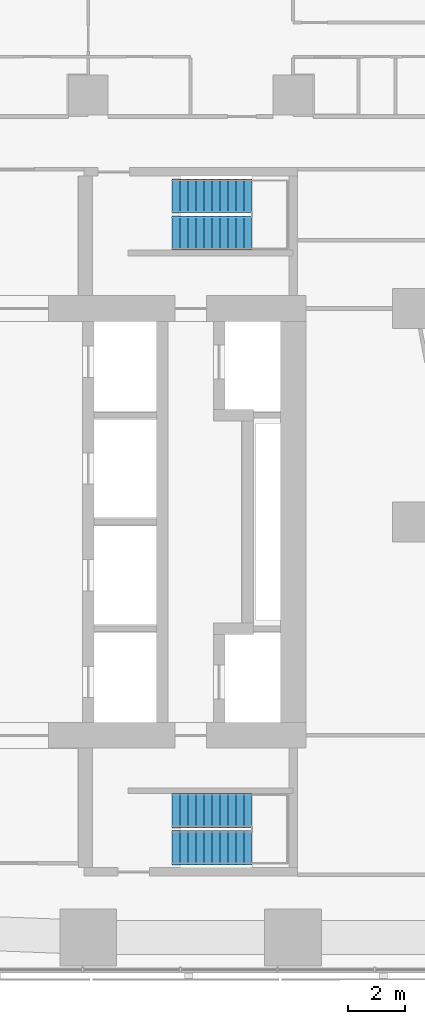
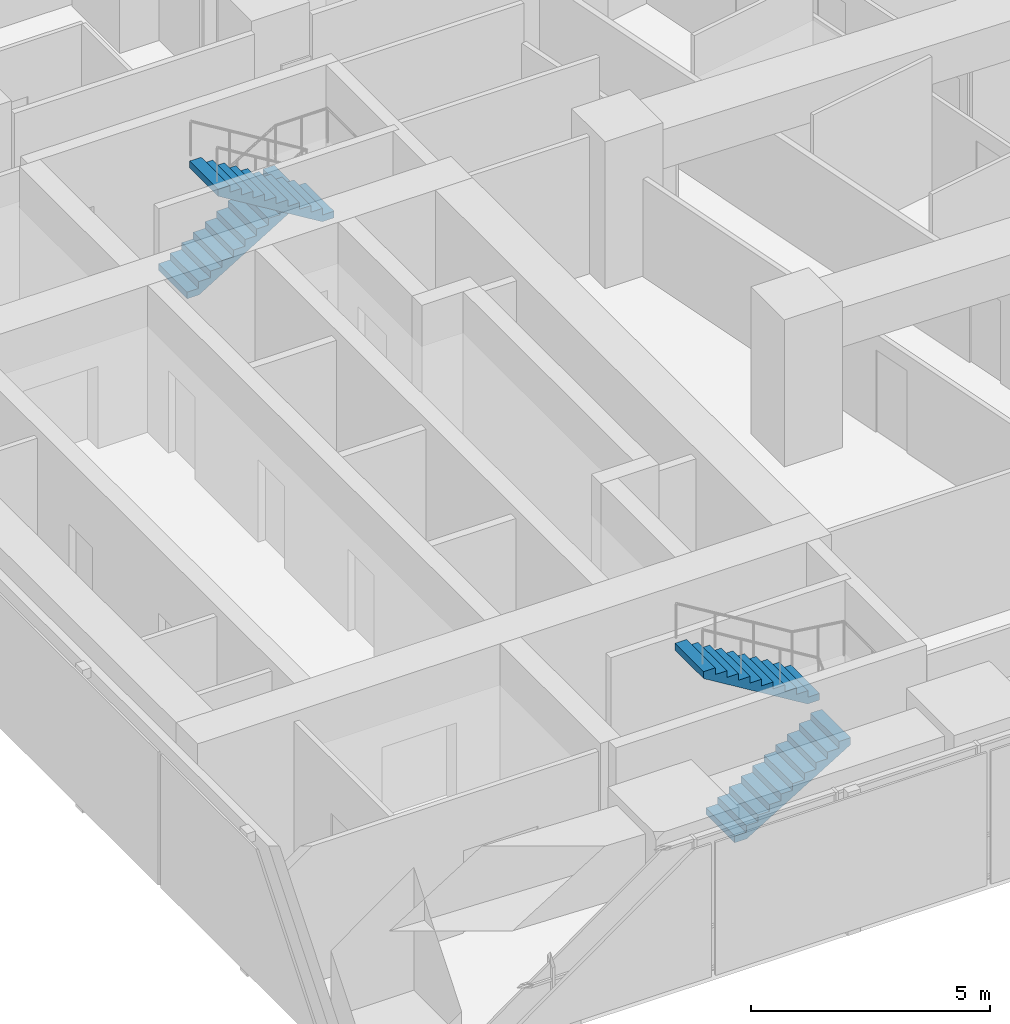
# One storey, part 9 of 10: 4 stair flights, 2 elements without a shape of their own.
"""IFC4 building model written with IfcOpenShell, lengths in metres."""

from ifc_helpers import new_model, si_unit, direction, frame, origin, place, context, subcontext, project, spatial, triangles, material, type_object, element, aggregate, save


model = new_model("IFC4")

# Units and contexts
model_context = context("Model", 3, precision=1e-05, world=origin(), true_north=direction((0.0, 1.0)))
body_context = subcontext(model_context, "Body", "Model", "MODEL_VIEW")
ifc_project = project(units=[si_unit("LENGTHUNIT", "METRE"), si_unit("AREAUNIT", "SQUARE_METRE"), si_unit("VOLUMEUNIT", "CUBIC_METRE"), si_unit("PLANEANGLEUNIT", "RADIAN"), si_unit("MASSUNIT", "GRAM", prefix="KILO")], contexts=[model_context])

# Site, building, storey
site_placement = place(None, origin())
site = spatial("IfcSite", under=ifc_project, at=site_placement, CompositionType="ELEMENT")
building_placement = place(site_placement, origin())
building = spatial("IfcBuilding", under=site, at=building_placement, Name="Sheger Commons Tower", CompositionType="ELEMENT")
storey_placement = place(building_placement, frame((0.0, 0.0, 289.10009765625)))
storey = spatial("IfcBuildingStorey", under=building, at=storey_placement, Name="L74", CompositionType="ELEMENT", Elevation=289.10009765625)

# Stair, stair flights
ifc_material_1 = material(Name="Concrete C35/45", Category="concrete")
stair_type = type_object("IfcStairType", Name="HALF-TURN STAIR 1200 RISE 3750", PredefinedType="HALF_TURN_STAIR", material=ifc_material_1)
stair_1_placement = place(storey_placement, origin())
stair_1 = element("IfcStair", 1, at=stair_1_placement, inside=storey, type_object=stair_type, Name="Stair S1 L74", PredefinedType="HALF_TURN_STAIR")
ifc_material_2 = material(Name="Concrete C35/45", Category="concrete")
stair_flight_type = type_object("IfcStairFlightType", Name="STAIR FLIGHT 1200 11 RISERS OF 170", PredefinedType="STRAIGHT", material=ifc_material_2)
stair_flight_1_placement = place(storey_placement, frame((24.550048828125, 11.050048828125, 0.0), z_axis=(0.0, 0.0, 1.0), x_axis=(1.0, 0.0, 0.0)))
stair_flight_1 = element("IfcStairFlight", 2, at=stair_flight_1_placement, type_object=stair_flight_type, Name="S1 flight 1", NumberOfRisers=11, NumberOfTreads=10, PredefinedType="STRAIGHT", RiserHeight=0.170454545, TreadLength=0.28, context=body_context, shape_type="Tessellation", body=[
    triangles([(0.0, 0.5999755859375, 0.0), (0.0, 0.5999755859375, 0.17041015625), (0.280029296875, 0.5999755859375, 0.17041015625), (0.280029296875, 0.5999755859375, 0.3408203125), (0.56005859375, 0.5999755859375, 0.3408203125), (0.56005859375, 0.5999755859375, 0.511474609375), (0.840087890625, 0.5999755859375, 0.511474609375), (0.840087890625, 0.5999755859375, 0.681884765625), (1.1201171875, 0.5999755859375, 0.681884765625), (1.1201171875, 0.5999755859375, 0.852294921875), (1.39990234375, 0.5999755859375, 0.852294921875), (1.39990234375, 0.5999755859375, 1.022705078125), (1.679931640625, 0.5999755859375, 1.022705078125), (1.679931640625, 0.5999755859375, 1.193115234375), (1.9599609375, 0.5999755859375, 1.193115234375), (1.9599609375, 0.5999755859375, 1.363525390625), (2.239990234375, 0.5999755859375, 1.363525390625), (2.239990234375, 0.5999755859375, 1.5341796875), (2.52001953125, 0.5999755859375, 1.5341796875), (2.52001953125, 0.5999755859375, 1.70458984375), (2.800048828125, 0.5999755859375, 1.70458984375), (2.800048828125, 0.5999755859375, 1.529052734375), (0.288330078125, 0.5999755859375, 0.0), (0.0, -0.5999755859375, 0.0), (0.0, -0.5999755859375, 0.17041015625), (0.280029296875, -0.5999755859375, 0.17041015625), (0.280029296875, -0.5999755859375, 0.3408203125), (0.56005859375, -0.5999755859375, 0.3408203125), (0.56005859375, -0.5999755859375, 0.511474609375), (0.840087890625, -0.5999755859375, 0.511474609375), (0.840087890625, -0.5999755859375, 0.681884765625), (1.1201171875, -0.5999755859375, 0.681884765625), (1.1201171875, -0.5999755859375, 0.852294921875), (1.39990234375, -0.5999755859375, 0.852294921875), (1.39990234375, -0.5999755859375, 1.022705078125), (1.679931640625, -0.5999755859375, 1.022705078125), (1.679931640625, -0.5999755859375, 1.193115234375), (1.9599609375, -0.5999755859375, 1.193115234375), (1.9599609375, -0.5999755859375, 1.363525390625), (2.239990234375, -0.5999755859375, 1.363525390625), (2.239990234375, -0.5999755859375, 1.5341796875), (2.52001953125, -0.5999755859375, 1.5341796875), (2.52001953125, -0.5999755859375, 1.70458984375), (2.800048828125, -0.5999755859375, 1.70458984375), (2.800048828125, -0.5999755859375, 1.529052734375), (0.288330078125, -0.5999755859375, 0.0), (0.0, 0.0, 0.085205078125), (0.1400146484375, 0.0, 0.17041015625), (0.280029296875, 0.0, 0.255615234375), (0.4200439453125, 0.0, 0.3408203125), (0.56005859375, 0.0, 0.4261474609375), (0.7000732421875, 0.0, 0.511474609375), (0.840087890625, 0.0, 0.5966796875), (0.9801025390625, 0.0, 0.681884765625), (1.1201171875, 0.0, 0.76708984375), (1.260009765625, 0.0, 0.852294921875), (1.39990234375, 0.0, 0.9375), (1.5399169921875, 0.0, 1.022705078125), (1.679931640625, 0.0, 1.10791015625), (1.8199462890625, 0.0, 1.193115234375), (1.9599609375, 0.0, 1.2783203125), (2.0999755859375, 0.0, 1.363525390625), (2.239990234375, 0.0, 1.4488525390625), (2.3800048828125, 0.0, 1.5341796875), (2.52001953125, 0.0, 1.619384765625), (2.6600341796875, 0.0, 1.70458984375), (2.800048828125, 0.0, 1.6168212890625), (1.544189453125, 0.0, 0.7645263671875), (0.1441650390625, 0.0, 0.0)], [[1, 22, 23], [24, 46, 45], [22, 20, 21], [45, 44, 43], [22, 19, 20], [45, 43, 42], [22, 18, 19], [45, 42, 41], [22, 17, 18], [45, 41, 40], [17, 15, 16], [40, 39, 38], [22, 15, 17], [45, 40, 38], [15, 13, 14], [38, 37, 36], [22, 13, 15], [45, 38, 36], [13, 11, 12], [36, 35, 34], [22, 11, 13], [45, 36, 34], [11, 9, 10], [34, 33, 32], [22, 9, 11], [45, 34, 32], [9, 7, 8], [32, 31, 30], [22, 7, 9], [45, 32, 30], [7, 5, 6], [30, 29, 28], [22, 5, 7], [45, 30, 28], [5, 3, 4], [28, 27, 26], [22, 3, 5], [45, 28, 26], [1, 3, 22], [24, 45, 26], [3, 1, 2], [26, 25, 24], [1, 47, 2], [2, 47, 25], [25, 47, 24], [24, 47, 1], [2, 48, 3], [3, 48, 26], [26, 48, 25], [25, 48, 2], [3, 49, 4], [4, 49, 27], [27, 49, 26], [26, 49, 3], [4, 50, 5], [5, 50, 28], [28, 50, 27], [27, 50, 4], [5, 51, 6], [6, 51, 29], [29, 51, 28], [28, 51, 5], [6, 52, 7], [7, 52, 30], [30, 52, 29], [29, 52, 6], [7, 53, 8], [8, 53, 31], [31, 53, 30], [30, 53, 7], [8, 54, 9], [9, 54, 32], [32, 54, 31], [31, 54, 8], [9, 55, 10], [10, 55, 33], [33, 55, 32], [32, 55, 9], [10, 56, 11], [11, 56, 34], [34, 56, 33], [33, 56, 10], [11, 57, 12], [12, 57, 35], [35, 57, 34], [34, 57, 11], [12, 58, 13], [13, 58, 36], [36, 58, 35], [35, 58, 12], [13, 59, 14], [14, 59, 37], [37, 59, 36], [36, 59, 13], [14, 60, 15], [15, 60, 38], [38, 60, 37], [37, 60, 14], [15, 61, 16], [16, 61, 39], [39, 61, 38], [38, 61, 15], [16, 62, 17], [17, 62, 40], [40, 62, 39], [39, 62, 16], [17, 63, 18], [18, 63, 41], [41, 63, 40], [40, 63, 17], [18, 64, 19], [19, 64, 42], [42, 64, 41], [41, 64, 18], [19, 65, 20], [20, 65, 43], [43, 65, 42], [42, 65, 19], [20, 66, 21], [21, 66, 44], [44, 66, 43], [43, 66, 20], [21, 67, 22], [22, 67, 45], [45, 67, 44], [44, 67, 21], [22, 68, 23], [23, 68, 46], [46, 68, 45], [45, 68, 22], [23, 69, 1], [1, 69, 24], [24, 69, 46], [46, 69, 23]], closed=True),
])
stair_flight_2_placement = place(storey_placement, frame((27.35009765625, 12.35009765625, 1.875), z_axis=(0.0, 0.0, 1.0), x_axis=(-1.0, 0.0, 0.0)))
stair_flight_2 = element("IfcStairFlight", 3, at=stair_flight_2_placement, type_object=stair_flight_type, Name="S1 flight 2", NumberOfRisers=11, NumberOfTreads=10, PredefinedType="STRAIGHT", RiserHeight=0.170454545, TreadLength=0.28, context=body_context, shape_type="Tessellation", body=[
    triangles([(0.0, 0.5999755859375, 0.0), (0.0, 0.5999755859375, 0.17041015625), (0.280029296875, 0.5999755859375, 0.17041015625), (0.280029296875, 0.5999755859375, 0.3408203125), (0.56005859375, 0.5999755859375, 0.3408203125), (0.56005859375, 0.5999755859375, 0.511474609375), (0.840087890625, 0.5999755859375, 0.511474609375), (0.840087890625, 0.5999755859375, 0.681884765625), (1.1201171875, 0.5999755859375, 0.681884765625), (1.1201171875, 0.5999755859375, 0.852294921875), (1.39990234375, 0.5999755859375, 0.852294921875), (1.39990234375, 0.5999755859375, 1.022705078125), (1.679931640625, 0.5999755859375, 1.022705078125), (1.679931640625, 0.5999755859375, 1.193115234375), (1.9599609375, 0.5999755859375, 1.193115234375), (1.9599609375, 0.5999755859375, 1.363525390625), (2.239990234375, 0.5999755859375, 1.363525390625), (2.239990234375, 0.5999755859375, 1.5341796875), (2.52001953125, 0.5999755859375, 1.5341796875), (2.52001953125, 0.5999755859375, 1.70458984375), (2.800048828125, 0.5999755859375, 1.70458984375), (2.800048828125, 0.5999755859375, 1.529052734375), (0.288330078125, 0.5999755859375, 0.0), (0.0, -0.5999755859375, 0.0), (0.0, -0.5999755859375, 0.17041015625), (0.280029296875, -0.5999755859375, 0.17041015625), (0.280029296875, -0.5999755859375, 0.3408203125), (0.56005859375, -0.5999755859375, 0.3408203125), (0.56005859375, -0.5999755859375, 0.511474609375), (0.840087890625, -0.5999755859375, 0.511474609375), (0.840087890625, -0.5999755859375, 0.681884765625), (1.1201171875, -0.5999755859375, 0.681884765625), (1.1201171875, -0.5999755859375, 0.852294921875), (1.39990234375, -0.5999755859375, 0.852294921875), (1.39990234375, -0.5999755859375, 1.022705078125), (1.679931640625, -0.5999755859375, 1.022705078125), (1.679931640625, -0.5999755859375, 1.193115234375), (1.9599609375, -0.5999755859375, 1.193115234375), (1.9599609375, -0.5999755859375, 1.363525390625), (2.239990234375, -0.5999755859375, 1.363525390625), (2.239990234375, -0.5999755859375, 1.5341796875), (2.52001953125, -0.5999755859375, 1.5341796875), (2.52001953125, -0.5999755859375, 1.70458984375), (2.800048828125, -0.5999755859375, 1.70458984375), (2.800048828125, -0.5999755859375, 1.529052734375), (0.288330078125, -0.5999755859375, 0.0), (0.0, 0.0, 0.085205078125), (0.1400146484375, 0.0, 0.17041015625), (0.280029296875, 0.0, 0.255615234375), (0.4200439453125, 0.0, 0.3408203125), (0.56005859375, 0.0, 0.4261474609375), (0.7000732421875, 0.0, 0.511474609375), (0.840087890625, 0.0, 0.5966796875), (0.9801025390625, 0.0, 0.681884765625), (1.1201171875, 0.0, 0.76708984375), (1.260009765625, 0.0, 0.852294921875), (1.39990234375, 0.0, 0.9375), (1.5399169921875, 0.0, 1.022705078125), (1.679931640625, 0.0, 1.10791015625), (1.8199462890625, 0.0, 1.193115234375), (1.9599609375, 0.0, 1.2783203125), (2.0999755859375, 0.0, 1.363525390625), (2.239990234375, 0.0, 1.4488525390625), (2.3800048828125, 0.0, 1.5341796875), (2.52001953125, 0.0, 1.619384765625), (2.6600341796875, 0.0, 1.70458984375), (2.800048828125, 0.0, 1.6168212890625), (1.544189453125, 0.0, 0.7645263671875), (0.1441650390625, 0.0, 0.0)], [[1, 22, 23], [24, 46, 45], [22, 20, 21], [45, 44, 43], [22, 19, 20], [45, 43, 42], [22, 18, 19], [45, 42, 41], [22, 17, 18], [45, 41, 40], [17, 15, 16], [40, 39, 38], [22, 15, 17], [45, 40, 38], [15, 13, 14], [38, 37, 36], [22, 13, 15], [45, 38, 36], [13, 11, 12], [36, 35, 34], [22, 11, 13], [45, 36, 34], [11, 9, 10], [34, 33, 32], [22, 9, 11], [45, 34, 32], [9, 7, 8], [32, 31, 30], [22, 7, 9], [45, 32, 30], [7, 5, 6], [30, 29, 28], [22, 5, 7], [45, 30, 28], [5, 3, 4], [28, 27, 26], [22, 3, 5], [45, 28, 26], [1, 3, 22], [24, 45, 26], [3, 1, 2], [26, 25, 24], [1, 47, 2], [2, 47, 25], [25, 47, 24], [24, 47, 1], [2, 48, 3], [3, 48, 26], [26, 48, 25], [25, 48, 2], [3, 49, 4], [4, 49, 27], [27, 49, 26], [26, 49, 3], [4, 50, 5], [5, 50, 28], [28, 50, 27], [27, 50, 4], [5, 51, 6], [6, 51, 29], [29, 51, 28], [28, 51, 5], [6, 52, 7], [7, 52, 30], [30, 52, 29], [29, 52, 6], [7, 53, 8], [8, 53, 31], [31, 53, 30], [30, 53, 7], [8, 54, 9], [9, 54, 32], [32, 54, 31], [31, 54, 8], [9, 55, 10], [10, 55, 33], [33, 55, 32], [32, 55, 9], [10, 56, 11], [11, 56, 34], [34, 56, 33], [33, 56, 10], [11, 57, 12], [12, 57, 35], [35, 57, 34], [34, 57, 11], [12, 58, 13], [13, 58, 36], [36, 58, 35], [35, 58, 12], [13, 59, 14], [14, 59, 37], [37, 59, 36], [36, 59, 13], [14, 60, 15], [15, 60, 38], [38, 60, 37], [37, 60, 14], [15, 61, 16], [16, 61, 39], [39, 61, 38], [38, 61, 15], [16, 62, 17], [17, 62, 40], [40, 62, 39], [39, 62, 16], [17, 63, 18], [18, 63, 41], [41, 63, 40], [40, 63, 17], [18, 64, 19], [19, 64, 42], [42, 64, 41], [41, 64, 18], [19, 65, 20], [20, 65, 43], [43, 65, 42], [42, 65, 19], [20, 66, 21], [21, 66, 44], [44, 66, 43], [43, 66, 20], [21, 67, 22], [22, 67, 45], [45, 67, 44], [44, 67, 21], [22, 68, 23], [23, 68, 46], [46, 68, 45], [45, 68, 22], [23, 69, 1], [1, 69, 24], [24, 69, 46], [46, 69, 23]], closed=True),
])
aggregate(stair_1, [stair_flight_1, stair_flight_2])

stair_2_placement = place(storey_placement, origin())
stair_2 = element("IfcStair", 4, at=stair_2_placement, inside=storey, type_object=stair_type, Name="Stair S2 L74", PredefinedType="HALF_TURN_STAIR")
stair_flight_3_placement = place(storey_placement, frame((24.550048828125, 33.949951171875, 0.0), z_axis=(0.0, 0.0, 1.0), x_axis=(1.0, 0.0, 0.0)))
stair_flight_3 = element("IfcStairFlight", 5, at=stair_flight_3_placement, type_object=stair_flight_type, Name="S2 flight 1", NumberOfRisers=11, NumberOfTreads=10, PredefinedType="STRAIGHT", RiserHeight=0.170454545, TreadLength=0.28, context=body_context, shape_type="Tessellation", body=[
    triangles([(0.0, 0.5999755859375, 0.0), (0.0, 0.5999755859375, 0.17041015625), (0.280029296875, 0.5999755859375, 0.17041015625), (0.280029296875, 0.5999755859375, 0.3408203125), (0.56005859375, 0.5999755859375, 0.3408203125), (0.56005859375, 0.5999755859375, 0.511474609375), (0.840087890625, 0.5999755859375, 0.511474609375), (0.840087890625, 0.5999755859375, 0.681884765625), (1.1201171875, 0.5999755859375, 0.681884765625), (1.1201171875, 0.5999755859375, 0.852294921875), (1.39990234375, 0.5999755859375, 0.852294921875), (1.39990234375, 0.5999755859375, 1.022705078125), (1.679931640625, 0.5999755859375, 1.022705078125), (1.679931640625, 0.5999755859375, 1.193115234375), (1.9599609375, 0.5999755859375, 1.193115234375), (1.9599609375, 0.5999755859375, 1.363525390625), (2.239990234375, 0.5999755859375, 1.363525390625), (2.239990234375, 0.5999755859375, 1.5341796875), (2.52001953125, 0.5999755859375, 1.5341796875), (2.52001953125, 0.5999755859375, 1.70458984375), (2.800048828125, 0.5999755859375, 1.70458984375), (2.800048828125, 0.5999755859375, 1.529052734375), (0.288330078125, 0.5999755859375, 0.0), (0.0, -0.5999755859375, 0.0), (0.0, -0.5999755859375, 0.17041015625), (0.280029296875, -0.5999755859375, 0.17041015625), (0.280029296875, -0.5999755859375, 0.3408203125), (0.56005859375, -0.5999755859375, 0.3408203125), (0.56005859375, -0.5999755859375, 0.511474609375), (0.840087890625, -0.5999755859375, 0.511474609375), (0.840087890625, -0.5999755859375, 0.681884765625), (1.1201171875, -0.5999755859375, 0.681884765625), (1.1201171875, -0.5999755859375, 0.852294921875), (1.39990234375, -0.5999755859375, 0.852294921875), (1.39990234375, -0.5999755859375, 1.022705078125), (1.679931640625, -0.5999755859375, 1.022705078125), (1.679931640625, -0.5999755859375, 1.193115234375), (1.9599609375, -0.5999755859375, 1.193115234375), (1.9599609375, -0.5999755859375, 1.363525390625), (2.239990234375, -0.5999755859375, 1.363525390625), (2.239990234375, -0.5999755859375, 1.5341796875), (2.52001953125, -0.5999755859375, 1.5341796875), (2.52001953125, -0.5999755859375, 1.70458984375), (2.800048828125, -0.5999755859375, 1.70458984375), (2.800048828125, -0.5999755859375, 1.529052734375), (0.288330078125, -0.5999755859375, 0.0), (0.0, 0.0, 0.085205078125), (0.1400146484375, 0.0, 0.17041015625), (0.280029296875, 0.0, 0.255615234375), (0.4200439453125, 0.0, 0.3408203125), (0.56005859375, 0.0, 0.4261474609375), (0.7000732421875, 0.0, 0.511474609375), (0.840087890625, 0.0, 0.5966796875), (0.9801025390625, 0.0, 0.681884765625), (1.1201171875, 0.0, 0.76708984375), (1.260009765625, 0.0, 0.852294921875), (1.39990234375, 0.0, 0.9375), (1.5399169921875, 0.0, 1.022705078125), (1.679931640625, 0.0, 1.10791015625), (1.8199462890625, 0.0, 1.193115234375), (1.9599609375, 0.0, 1.2783203125), (2.0999755859375, 0.0, 1.363525390625), (2.239990234375, 0.0, 1.4488525390625), (2.3800048828125, 0.0, 1.5341796875), (2.52001953125, 0.0, 1.619384765625), (2.6600341796875, 0.0, 1.70458984375), (2.800048828125, 0.0, 1.6168212890625), (1.544189453125, 0.0, 0.7645263671875), (0.1441650390625, 0.0, 0.0)], [[1, 22, 23], [24, 46, 45], [22, 20, 21], [45, 44, 43], [22, 19, 20], [45, 43, 42], [22, 18, 19], [45, 42, 41], [22, 17, 18], [45, 41, 40], [17, 15, 16], [40, 39, 38], [22, 15, 17], [45, 40, 38], [15, 13, 14], [38, 37, 36], [22, 13, 15], [45, 38, 36], [13, 11, 12], [36, 35, 34], [22, 11, 13], [45, 36, 34], [11, 9, 10], [34, 33, 32], [22, 9, 11], [45, 34, 32], [9, 7, 8], [32, 31, 30], [22, 7, 9], [45, 32, 30], [7, 5, 6], [30, 29, 28], [22, 5, 7], [45, 30, 28], [5, 3, 4], [28, 27, 26], [22, 3, 5], [45, 28, 26], [1, 3, 22], [24, 45, 26], [3, 1, 2], [26, 25, 24], [1, 47, 2], [2, 47, 25], [25, 47, 24], [24, 47, 1], [2, 48, 3], [3, 48, 26], [26, 48, 25], [25, 48, 2], [3, 49, 4], [4, 49, 27], [27, 49, 26], [26, 49, 3], [4, 50, 5], [5, 50, 28], [28, 50, 27], [27, 50, 4], [5, 51, 6], [6, 51, 29], [29, 51, 28], [28, 51, 5], [6, 52, 7], [7, 52, 30], [30, 52, 29], [29, 52, 6], [7, 53, 8], [8, 53, 31], [31, 53, 30], [30, 53, 7], [8, 54, 9], [9, 54, 32], [32, 54, 31], [31, 54, 8], [9, 55, 10], [10, 55, 33], [33, 55, 32], [32, 55, 9], [10, 56, 11], [11, 56, 34], [34, 56, 33], [33, 56, 10], [11, 57, 12], [12, 57, 35], [35, 57, 34], [34, 57, 11], [12, 58, 13], [13, 58, 36], [36, 58, 35], [35, 58, 12], [13, 59, 14], [14, 59, 37], [37, 59, 36], [36, 59, 13], [14, 60, 15], [15, 60, 38], [38, 60, 37], [37, 60, 14], [15, 61, 16], [16, 61, 39], [39, 61, 38], [38, 61, 15], [16, 62, 17], [17, 62, 40], [40, 62, 39], [39, 62, 16], [17, 63, 18], [18, 63, 41], [41, 63, 40], [40, 63, 17], [18, 64, 19], [19, 64, 42], [42, 64, 41], [41, 64, 18], [19, 65, 20], [20, 65, 43], [43, 65, 42], [42, 65, 19], [20, 66, 21], [21, 66, 44], [44, 66, 43], [43, 66, 20], [21, 67, 22], [22, 67, 45], [45, 67, 44], [44, 67, 21], [22, 68, 23], [23, 68, 46], [46, 68, 45], [45, 68, 22], [23, 69, 1], [1, 69, 24], [24, 69, 46], [46, 69, 23]], closed=True),
])
stair_flight_4_placement = place(storey_placement, frame((27.35009765625, 32.64990234375, 1.875), z_axis=(0.0, 0.0, 1.0), x_axis=(-1.0, 0.0, 0.0)))
stair_flight_4 = element("IfcStairFlight", 6, at=stair_flight_4_placement, type_object=stair_flight_type, Name="S2 flight 2", NumberOfRisers=11, NumberOfTreads=10, PredefinedType="STRAIGHT", RiserHeight=0.170454545, TreadLength=0.28, context=body_context, shape_type="Tessellation", body=[
    triangles([(0.0, 0.5999755859375, 0.0), (0.0, 0.5999755859375, 0.17041015625), (0.280029296875, 0.5999755859375, 0.17041015625), (0.280029296875, 0.5999755859375, 0.3408203125), (0.56005859375, 0.5999755859375, 0.3408203125), (0.56005859375, 0.5999755859375, 0.511474609375), (0.840087890625, 0.5999755859375, 0.511474609375), (0.840087890625, 0.5999755859375, 0.681884765625), (1.1201171875, 0.5999755859375, 0.681884765625), (1.1201171875, 0.5999755859375, 0.852294921875), (1.39990234375, 0.5999755859375, 0.852294921875), (1.39990234375, 0.5999755859375, 1.022705078125), (1.679931640625, 0.5999755859375, 1.022705078125), (1.679931640625, 0.5999755859375, 1.193115234375), (1.9599609375, 0.5999755859375, 1.193115234375), (1.9599609375, 0.5999755859375, 1.363525390625), (2.239990234375, 0.5999755859375, 1.363525390625), (2.239990234375, 0.5999755859375, 1.5341796875), (2.52001953125, 0.5999755859375, 1.5341796875), (2.52001953125, 0.5999755859375, 1.70458984375), (2.800048828125, 0.5999755859375, 1.70458984375), (2.800048828125, 0.5999755859375, 1.529052734375), (0.288330078125, 0.5999755859375, 0.0), (0.0, -0.5999755859375, 0.0), (0.0, -0.5999755859375, 0.17041015625), (0.280029296875, -0.5999755859375, 0.17041015625), (0.280029296875, -0.5999755859375, 0.3408203125), (0.56005859375, -0.5999755859375, 0.3408203125), (0.56005859375, -0.5999755859375, 0.511474609375), (0.840087890625, -0.5999755859375, 0.511474609375), (0.840087890625, -0.5999755859375, 0.681884765625), (1.1201171875, -0.5999755859375, 0.681884765625), (1.1201171875, -0.5999755859375, 0.852294921875), (1.39990234375, -0.5999755859375, 0.852294921875), (1.39990234375, -0.5999755859375, 1.022705078125), (1.679931640625, -0.5999755859375, 1.022705078125), (1.679931640625, -0.5999755859375, 1.193115234375), (1.9599609375, -0.5999755859375, 1.193115234375), (1.9599609375, -0.5999755859375, 1.363525390625), (2.239990234375, -0.5999755859375, 1.363525390625), (2.239990234375, -0.5999755859375, 1.5341796875), (2.52001953125, -0.5999755859375, 1.5341796875), (2.52001953125, -0.5999755859375, 1.70458984375), (2.800048828125, -0.5999755859375, 1.70458984375), (2.800048828125, -0.5999755859375, 1.529052734375), (0.288330078125, -0.5999755859375, 0.0), (0.0, 0.0, 0.085205078125), (0.1400146484375, 0.0, 0.17041015625), (0.280029296875, 0.0, 0.255615234375), (0.4200439453125, 0.0, 0.3408203125), (0.56005859375, 0.0, 0.4261474609375), (0.7000732421875, 0.0, 0.511474609375), (0.840087890625, 0.0, 0.5966796875), (0.9801025390625, 0.0, 0.681884765625), (1.1201171875, 0.0, 0.76708984375), (1.260009765625, 0.0, 0.852294921875), (1.39990234375, 0.0, 0.9375), (1.5399169921875, 0.0, 1.022705078125), (1.679931640625, 0.0, 1.10791015625), (1.8199462890625, 0.0, 1.193115234375), (1.9599609375, 0.0, 1.2783203125), (2.0999755859375, 0.0, 1.363525390625), (2.239990234375, 0.0, 1.4488525390625), (2.3800048828125, 0.0, 1.5341796875), (2.52001953125, 0.0, 1.619384765625), (2.6600341796875, 0.0, 1.70458984375), (2.800048828125, 0.0, 1.6168212890625), (1.544189453125, 0.0, 0.7645263671875), (0.1441650390625, 0.0, 0.0)], [[1, 22, 23], [24, 46, 45], [22, 20, 21], [45, 44, 43], [22, 19, 20], [45, 43, 42], [22, 18, 19], [45, 42, 41], [22, 17, 18], [45, 41, 40], [17, 15, 16], [40, 39, 38], [22, 15, 17], [45, 40, 38], [15, 13, 14], [38, 37, 36], [22, 13, 15], [45, 38, 36], [13, 11, 12], [36, 35, 34], [22, 11, 13], [45, 36, 34], [11, 9, 10], [34, 33, 32], [22, 9, 11], [45, 34, 32], [9, 7, 8], [32, 31, 30], [22, 7, 9], [45, 32, 30], [7, 5, 6], [30, 29, 28], [22, 5, 7], [45, 30, 28], [5, 3, 4], [28, 27, 26], [22, 3, 5], [45, 28, 26], [1, 3, 22], [24, 45, 26], [3, 1, 2], [26, 25, 24], [1, 47, 2], [2, 47, 25], [25, 47, 24], [24, 47, 1], [2, 48, 3], [3, 48, 26], [26, 48, 25], [25, 48, 2], [3, 49, 4], [4, 49, 27], [27, 49, 26], [26, 49, 3], [4, 50, 5], [5, 50, 28], [28, 50, 27], [27, 50, 4], [5, 51, 6], [6, 51, 29], [29, 51, 28], [28, 51, 5], [6, 52, 7], [7, 52, 30], [30, 52, 29], [29, 52, 6], [7, 53, 8], [8, 53, 31], [31, 53, 30], [30, 53, 7], [8, 54, 9], [9, 54, 32], [32, 54, 31], [31, 54, 8], [9, 55, 10], [10, 55, 33], [33, 55, 32], [32, 55, 9], [10, 56, 11], [11, 56, 34], [34, 56, 33], [33, 56, 10], [11, 57, 12], [12, 57, 35], [35, 57, 34], [34, 57, 11], [12, 58, 13], [13, 58, 36], [36, 58, 35], [35, 58, 12], [13, 59, 14], [14, 59, 37], [37, 59, 36], [36, 59, 13], [14, 60, 15], [15, 60, 38], [38, 60, 37], [37, 60, 14], [15, 61, 16], [16, 61, 39], [39, 61, 38], [38, 61, 15], [16, 62, 17], [17, 62, 40], [40, 62, 39], [39, 62, 16], [17, 63, 18], [18, 63, 41], [41, 63, 40], [40, 63, 17], [18, 64, 19], [19, 64, 42], [42, 64, 41], [41, 64, 18], [19, 65, 20], [20, 65, 43], [43, 65, 42], [42, 65, 19], [20, 66, 21], [21, 66, 44], [44, 66, 43], [43, 66, 20], [21, 67, 22], [22, 67, 45], [45, 67, 44], [44, 67, 21], [22, 68, 23], [23, 68, 46], [46, 68, 45], [45, 68, 22], [23, 69, 1], [1, 69, 24], [24, 69, 46], [46, 69, 23]], closed=True),
])
aggregate(stair_2, [stair_flight_3, stair_flight_4])

save(model, "model.ifc")
